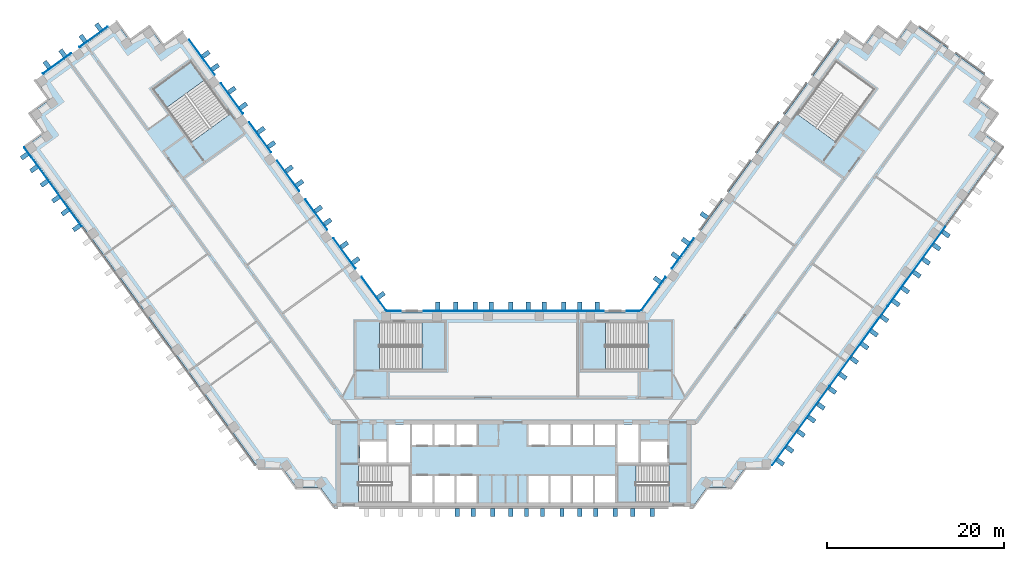
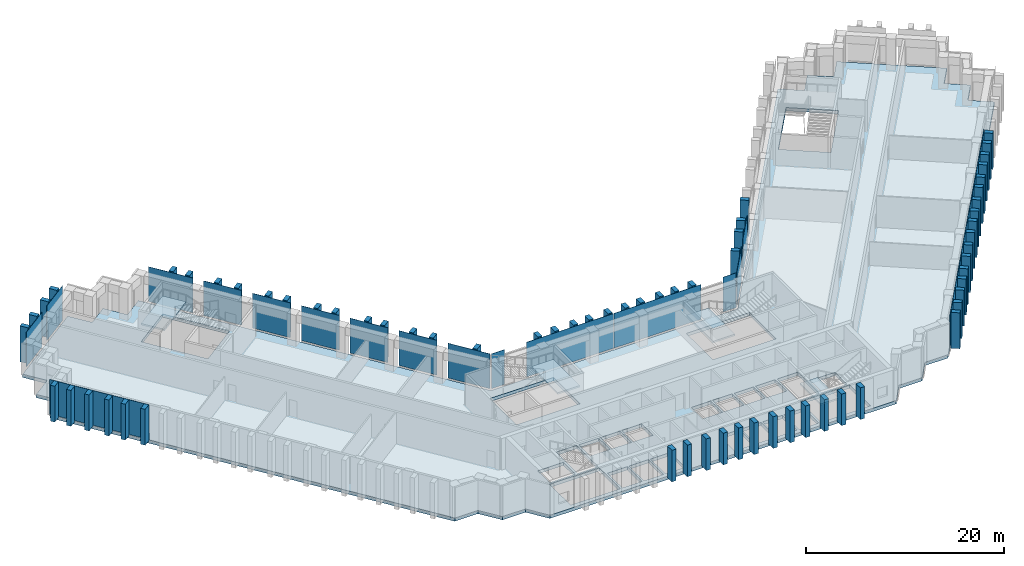
"""IFC4 building model written with IfcOpenShell, lengths in metres."""

from ifc_helpers import new_model, si_unit, direction, frame, origin, origin_2d, place, context, subcontext, project, spatial, polyline, rectangle, outline, extrude, material, layer, layer_set, type_object, element, aggregate, save


model = new_model("IFC4")

# Units and contexts
model_context = context("Model", 3, precision=1e-05, world=origin(), true_north=direction((0.0, 1.0)))
body_context = subcontext(model_context, "Body", "Model", "MODEL_VIEW")
ifc_project = project(units=[si_unit("LENGTHUNIT", "METRE"), si_unit("AREAUNIT", "SQUARE_METRE"), si_unit("VOLUMEUNIT", "CUBIC_METRE"), si_unit("PLANEANGLEUNIT", "RADIAN"), si_unit("MASSUNIT", "GRAM", prefix="KILO")], contexts=[model_context])

# Site, building, storey
site_placement = place(None, origin())
site = spatial("IfcSite", under=ifc_project, at=site_placement, CompositionType="ELEMENT")
building_placement = place(site_placement, origin())
building = spatial("IfcBuilding", under=site, at=building_placement, Name="Quipu Civic Tower", CompositionType="ELEMENT")
storey_1_placement = place(building_placement, frame((0.0, 0.0, 20.5)))
storey_1 = spatial("IfcBuildingStorey", under=building, at=storey_1_placement, Name="L04", CompositionType="ELEMENT", Elevation=20.5)

# Slab
ifc_material_1 = material(Name="Concrete C40/50", Category="concrete")
ifc_layer_1 = layer(ifc_material_1, 0.39990234375)
ifc_layer_set_1 = layer_set([ifc_layer_1], Name="Concrete C40/50")
slab_type_1 = type_object("IfcSlabType", Name="Floor slab 400 C40/50", PredefinedType="FLOOR", material=ifc_layer_set_1)
slab_1_placement = place(storey_1_placement, frame((0.0, 0.0, -0.39990234375)))
element("IfcSlab", 1, at=slab_1_placement, inside=storey_1, type_object=slab_type_1, Name="Floor slab L04", PredefinedType="FLOOR", context=body_context, shape_type="SweptSolid", body=[
    extrude(outline(polyline([(37.31494140625, 42.550048828125), (39.5, 40.9599609375), (41.0849609375, 43.14501953125), (43.27001953125, 41.56005859375), (44.860107421875, 43.739990234375), (53.919921875, 37.159912109375), (52.3349609375, 34.97509765625), (54.514892578125, 33.389892578125), (52.929931640625, 31.205078125), (55.114990234375, 29.614990234375), (28.780029296875, -6.6298828125), (26.080078125, -6.6298828125), (24.489990234375, -8.81494140625), (21.7900390625, -8.81494140625), (20.205078125, -11.0), (-20.205078125, -11.0), (-21.7900390625, -8.81494140625), (-24.489990234375, -8.81494140625), (-26.080078125, -6.6298828125), (-28.780029296875, -6.6298828125), (-55.114990234375, 29.614990234375), (-52.929931640625, 31.205078125), (-54.514892578125, 33.389892578125), (-52.3349609375, 34.97509765625), (-53.919921875, 37.159912109375), (-44.860107421875, 43.739990234375), (-43.27001953125, 41.56005859375), (-41.0849609375, 43.14501953125), (-39.5, 40.9599609375), (-37.31494140625, 42.550048828125), (-14.39501953125, 11.0), (14.39501953125, 11.0), (37.31494140625, 42.550048828125)]), holes=[polyline([(-11.449951171875, -7.5), (-11.449951171875, -10.5), (-9.14990234375, -10.5), (-9.14990234375, -7.5), (-11.449951171875, -7.5)]), polyline([(-6.64990234375, -7.5), (-8.949951171875, -7.5), (-8.949951171875, -10.5), (-6.64990234375, -10.5), (-6.64990234375, -7.5)]), polyline([(-4.14990234375, -7.5), (-6.449951171875, -7.5), (-6.449951171875, -10.5), (-4.14990234375, -10.5), (-4.14990234375, -7.5)]), polyline([(1.64990234375, -7.5), (1.64990234375, -10.5), (3.949951171875, -10.5), (3.949951171875, -7.5), (1.64990234375, -7.5)]), polyline([(-11.705078125, -10.4951171875), (-11.705078125, -6.2548828125), (-17.4951171875, -6.2548828125), (-17.4951171875, -10.4951171875), (-11.705078125, -10.4951171875)]), polyline([(-14.35009765625, -3.60009765625), (-17.35009765625, -3.60009765625), (-17.35009765625, -6.0), (-14.35009765625, -6.0), (-14.35009765625, -3.60009765625)]), polyline([(-14.10009765625, -1.699951171875), (-14.10009765625, -6.0), (-11.699951171875, -6.0), (-11.699951171875, -1.699951171875), (-14.10009765625, -1.699951171875)]), polyline([(-9.14990234375, -1.699951171875), (-11.449951171875, -1.699951171875), (-11.449951171875, -4.0), (-9.14990234375, -4.0), (-9.14990234375, -1.699951171875)]), polyline([(-6.64990234375, -1.699951171875), (-8.949951171875, -1.699951171875), (-8.949951171875, -4.0), (-6.64990234375, -4.0), (-6.64990234375, -1.699951171875)]), polyline([(-6.449951171875, -1.699951171875), (-6.449951171875, -4.0), (-4.14990234375, -4.0), (-4.14990234375, -1.699951171875), (-6.449951171875, -1.699951171875)]), polyline([(-7.7548828125, 4.5048828125), (-7.7548828125, 9.844970703125), (-15.14501953125, 9.844970703125), (-15.14501953125, 4.5048828125), (-7.7548828125, 4.5048828125)]), polyline([(-36.364990234375, 39.27490234375), (-40.68505859375, 36.135009765625), (-36.344970703125, 30.159912109375), (-32.02490234375, 33.300048828125), (-36.364990234375, 39.27490234375)]), polyline([(4.14990234375, -7.5), (4.14990234375, -10.5), (6.449951171875, -10.5), (6.449951171875, -7.5), (4.14990234375, -7.5)]), polyline([(8.949951171875, -7.5), (6.64990234375, -7.5), (6.64990234375, -10.5), (8.949951171875, -10.5), (8.949951171875, -7.5)]), polyline([(11.449951171875, -7.5), (9.14990234375, -7.5), (9.14990234375, -10.5), (11.449951171875, -10.5), (11.449951171875, -7.5)]), polyline([(11.705078125, -10.4951171875), (17.4951171875, -10.4951171875), (17.4951171875, -6.2548828125), (11.705078125, -6.2548828125), (11.705078125, -10.4951171875)]), polyline([(17.35009765625, -3.60009765625), (14.35009765625, -3.60009765625), (14.35009765625, -6.0), (17.35009765625, -6.0), (17.35009765625, -3.60009765625)]), polyline([(14.10009765625, -1.699951171875), (11.699951171875, -1.699951171875), (11.699951171875, -6.0), (14.10009765625, -6.0), (14.10009765625, -1.699951171875)]), polyline([(1.64990234375, -1.699951171875), (1.64990234375, -4.0), (3.949951171875, -4.0), (3.949951171875, -1.699951171875), (1.64990234375, -1.699951171875)]), polyline([(6.449951171875, -1.699951171875), (4.14990234375, -1.699951171875), (4.14990234375, -4.0), (6.449951171875, -4.0), (6.449951171875, -1.699951171875)]), polyline([(8.949951171875, -1.699951171875), (6.64990234375, -1.699951171875), (6.64990234375, -4.0), (8.949951171875, -4.0), (8.949951171875, -1.699951171875)]), polyline([(9.14990234375, -1.699951171875), (9.14990234375, -4.0), (11.449951171875, -4.0), (11.449951171875, -1.699951171875), (9.14990234375, -1.699951171875)]), polyline([(7.7548828125, 9.844970703125), (7.7548828125, 4.5048828125), (15.14501953125, 4.5048828125), (15.14501953125, 9.844970703125), (7.7548828125, 9.844970703125)]), polyline([(40.68505859375, 36.135009765625), (36.364990234375, 39.27490234375), (32.02490234375, 33.300048828125), (36.344970703125, 30.159912109375), (40.68505859375, 36.135009765625)])]), origin(), (0.0, 0.0, 1.0), 0.39990234375),
])

# Storey
storey_2_placement = place(building_placement, frame((0.0, 0.0, 16.0)))
storey_2 = spatial("IfcBuildingStorey", under=building, at=storey_2_placement, Name="L03", CompositionType="ELEMENT", Elevation=16.0)

# Curtain wall, plate
ifc_material_2 = material(Name="Insulated glass unit", Category="glass")
curtain_wall_type = type_object("IfcCurtainWallType", Name="Public services curtain wall CW3", PredefinedType="NOTDEFINED", material=ifc_material_2)
curtain_wall_1_placement = place(storey_2_placement, origin())
curtain_wall_1 = element("IfcCurtainWall", 2, at=curtain_wall_1_placement, inside=storey_2, type_object=curtain_wall_type, Name="Public services curtain wall CW3 L02 run 1", PredefinedType="NOTDEFINED")
ifc_material_3 = material(Name="Insulated glass unit", Category="glass")
ifc_layer_2 = layer(ifc_material_3, 0.031982421875)
ifc_layer_set_2 = layer_set([ifc_layer_2], Name="Insulated glass unit")
plate_type_1 = type_object("IfcPlateType", Name="Glass panel CW3", PredefinedType="CURTAIN_PANEL", material=ifc_layer_set_2)
plate_1_placement = place(storey_1_placement, frame((-15.769287109375, 13.0615234375, 0.139892578125), z_axis=(0.0, 0.0, 1.0), x_axis=(-0.587795194797, 0.809009770629, 0.0)))
plate_1 = element("IfcPlate", 3, at=plate_1_placement, inside=storey_1, type_object=plate_type_1, Name="CW3 panel 1.3", PredefinedType="CURTAIN_PANEL", context=body_context, shape_type="SweptSolid", body=[
    extrude(rectangle(XDim=4.649169921875, YDim=0.031982421875, at=origin_2d()), origin(), (0.0, 0.0, 1.0), 4.2900390625),
])
aggregate(curtain_wall_1, [plate_1])

curtain_wall_2_placement = place(storey_2_placement, origin())
curtain_wall_2 = element("IfcCurtainWall", 4, at=curtain_wall_2_placement, inside=storey_2, type_object=curtain_wall_type, Name="Public services curtain wall CW3 L02 run 2", PredefinedType="NOTDEFINED")
plate_2_placement = place(storey_1_placement, frame((-19.075439453125, 17.61181640625, 0.139892578125), z_axis=(0.0, 0.0, 1.0), x_axis=(-0.587800011079, 0.809006271283, 0.0)))
plate_2 = element("IfcPlate", 5, at=plate_2_placement, inside=storey_1, type_object=plate_type_1, Name="CW3 panel 1.3", PredefinedType="CURTAIN_PANEL", context=body_context, shape_type="SweptSolid", body=[
    extrude(rectangle(XDim=4.199951171875, YDim=0.031982421875, at=origin_2d()), origin(), (0.0, 0.0, 1.0), 4.2900390625),
])
aggregate(curtain_wall_2, [plate_2])

curtain_wall_3_placement = place(storey_2_placement, origin())
curtain_wall_3 = element("IfcCurtainWall", 6, at=curtain_wall_3_placement, inside=storey_2, type_object=curtain_wall_type, Name="Public services curtain wall CW3 L02 run 3", PredefinedType="NOTDEFINED")
plate_3_placement = place(storey_1_placement, frame((-22.24951171875, 21.98046875, 0.139892578125), z_axis=(0.0, 0.0, 1.0), x_axis=(-0.587774328321, 0.809024930992, 0.0)))
plate_3 = element("IfcPlate", 7, at=plate_3_placement, inside=storey_1, type_object=plate_type_1, Name="CW3 panel 1.3", PredefinedType="CURTAIN_PANEL", context=body_context, shape_type="SweptSolid", body=[
    extrude(rectangle(XDim=4.199951171875, YDim=0.031982421875, at=origin_2d()), origin(), (0.0, 0.0, 1.0), 4.2900390625),
])
aggregate(curtain_wall_3, [plate_3])

curtain_wall_4_placement = place(storey_2_placement, origin())
curtain_wall_4 = element("IfcCurtainWall", 8, at=curtain_wall_4_placement, inside=storey_2, type_object=curtain_wall_type, Name="Public services curtain wall CW3 L02 run 4", PredefinedType="NOTDEFINED")
plate_4_placement = place(storey_1_placement, frame((-25.42333984375, 26.349365234375, 0.139892578125), z_axis=(0.0, 0.0, 1.0), x_axis=(-0.587789203544, 0.809014123608, 0.0)))
plate_4 = element("IfcPlate", 9, at=plate_4_placement, inside=storey_1, type_object=plate_type_1, Name="CW3 panel 1.3", PredefinedType="CURTAIN_PANEL", context=body_context, shape_type="SweptSolid", body=[
    extrude(rectangle(XDim=4.199951171875, YDim=0.031982421875, at=origin_2d()), origin(), (0.0, 0.0, 1.0), 4.2900390625),
])
aggregate(curtain_wall_4, [plate_4])

curtain_wall_5_placement = place(storey_2_placement, origin())
curtain_wall_5 = element("IfcCurtainWall", 10, at=curtain_wall_5_placement, inside=storey_2, type_object=curtain_wall_type, Name="Public services curtain wall CW3 L02 run 5", PredefinedType="NOTDEFINED")
plate_5_placement = place(storey_1_placement, frame((-28.597412109375, 30.718017578125, 0.139892578125), z_axis=(0.0, 0.0, 1.0), x_axis=(-0.587785135859, 0.809017078969, 0.0)))
plate_5 = element("IfcPlate", 11, at=plate_5_placement, inside=storey_1, type_object=plate_type_1, Name="CW3 panel 1.3", PredefinedType="CURTAIN_PANEL", context=body_context, shape_type="SweptSolid", body=[
    extrude(rectangle(XDim=4.199951171875, YDim=0.031982421875, at=origin_2d()), origin(), (0.0, 0.0, 1.0), 4.2900390625),
])
aggregate(curtain_wall_5, [plate_5])

curtain_wall_6_placement = place(storey_2_placement, origin())
curtain_wall_6 = element("IfcCurtainWall", 12, at=curtain_wall_6_placement, inside=storey_2, type_object=curtain_wall_type, Name="Public services curtain wall CW3 L02 run 6", PredefinedType="NOTDEFINED")
plate_6_placement = place(storey_1_placement, frame((-31.771484375, 35.086669921875, 0.139892578125), z_axis=(0.0, 0.0, 1.0), x_axis=(-0.587789203544, 0.809014123608, 0.0)))
plate_6 = element("IfcPlate", 13, at=plate_6_placement, inside=storey_1, type_object=plate_type_1, Name="CW3 panel 1.3", PredefinedType="CURTAIN_PANEL", context=body_context, shape_type="SweptSolid", body=[
    extrude(rectangle(XDim=4.199951171875, YDim=0.031982421875, at=origin_2d()), origin(), (0.0, 0.0, 1.0), 4.2900390625),
])
aggregate(curtain_wall_6, [plate_6])

curtain_wall_7_placement = place(storey_2_placement, origin())
curtain_wall_7 = element("IfcCurtainWall", 14, at=curtain_wall_7_placement, inside=storey_2, type_object=curtain_wall_type, Name="Public services curtain wall CW3 L02 run 7", PredefinedType="NOTDEFINED")
plate_7_placement = place(storey_1_placement, frame((-35.149658203125, 39.736328125, 0.139892578125), z_axis=(0.0, 0.0, 1.0), x_axis=(-0.587782980465, 0.809018644949, 0.0)))
plate_7 = element("IfcPlate", 15, at=plate_7_placement, inside=storey_1, type_object=plate_type_1, Name="CW3 panel 1.3", PredefinedType="CURTAIN_PANEL", context=body_context, shape_type="SweptSolid", body=[
    extrude(rectangle(XDim=4.89453125, YDim=0.031982421875, at=origin_2d()), origin(), (0.0, 0.0, 1.0), 4.2900390625),
])
aggregate(curtain_wall_7, [plate_7])

curtain_wall_8_placement = place(storey_2_placement, origin())
curtain_wall_8 = element("IfcCurtainWall", 16, at=curtain_wall_8_placement, inside=storey_2, type_object=curtain_wall_type, Name="Public services curtain wall CW3 L02 run 12", PredefinedType="NOTDEFINED")
plate_8_placement = place(storey_1_placement, frame((-47.385009765625, 42.03076171875, 0.139892578125), z_axis=(0.0, 0.0, 1.0), x_axis=(-0.809030241342, -0.587767018974, 0.0)))
plate_8 = element("IfcPlate", 17, at=plate_8_placement, inside=storey_1, type_object=plate_type_1, Name="CW3 panel 1.3", PredefinedType="CURTAIN_PANEL", context=body_context, shape_type="SweptSolid", body=[
    extrude(rectangle(XDim=3.900146484375, YDim=0.031982421875, at=origin_2d()), origin(), (0.0, 0.0, 1.0), 4.2900390625),
])
aggregate(curtain_wall_8, [plate_8])

curtain_wall_9_placement = place(storey_2_placement, origin())
curtain_wall_9 = element("IfcCurtainWall", 18, at=curtain_wall_9_placement, inside=storey_2, type_object=curtain_wall_type, Name="Public services curtain wall CW3 L02 run 13", PredefinedType="NOTDEFINED")
plate_9_placement = place(storey_1_placement, frame((-51.51025390625, 39.033447265625, 0.139892578125), z_axis=(0.0, 0.0, 1.0), x_axis=(-0.809014568883, -0.587788590681, 0.0)))
plate_9 = element("IfcPlate", 19, at=plate_9_placement, inside=storey_1, type_object=plate_type_1, Name="CW3 panel 1.3", PredefinedType="CURTAIN_PANEL", context=body_context, shape_type="SweptSolid", body=[
    extrude(rectangle(XDim=3.898193359375, YDim=0.031982421875, at=origin_2d()), origin(), (0.0, 0.0, 1.0), 4.2900390625),
])
aggregate(curtain_wall_9, [plate_9])

curtain_wall_10_placement = place(storey_2_placement, origin())
curtain_wall_10 = element("IfcCurtainWall", 20, at=curtain_wall_10_placement, inside=storey_2, type_object=curtain_wall_type, Name="Public services curtain wall CW3 L02 run 18", PredefinedType="NOTDEFINED")
plate_10_placement = place(storey_1_placement, frame((-51.970947265625, 25.11962890625, 0.139892578125), z_axis=(0.0, 0.0, 1.0), x_axis=(0.587785356329, -0.809016918788, 0.0)))
plate_10 = element("IfcPlate", 21, at=plate_10_placement, inside=storey_1, type_object=plate_type_1, Name="CW3 panel 1.3", PredefinedType="CURTAIN_PANEL", context=body_context, shape_type="SweptSolid", body=[
    extrude(rectangle(XDim=10.971435546875, YDim=0.031982421875, at=origin_2d()), origin(), (0.0, 0.0, 1.0), 4.2900390625),
])
aggregate(curtain_wall_10, [plate_10])

# Curtain wall, plates
curtain_wall_11_placement = place(storey_2_placement, origin())
curtain_wall_11 = element("IfcCurtainWall", 22, at=curtain_wall_11_placement, inside=storey_2, type_object=curtain_wall_type, Name="Public services curtain wall CW3 L02 run 32", PredefinedType="NOTDEFINED")
plate_11_placement = place(storey_1_placement, frame((32.38916015625, -1.832275390625, 0.139892578125), z_axis=(0.0, 0.0, 1.0), x_axis=(0.587785356329, 0.809016918788, 0.0)))
plate_11 = element("IfcPlate", 23, at=plate_11_placement, inside=storey_1, type_object=plate_type_1, Name="CW3 panel 1.3", PredefinedType="CURTAIN_PANEL", context=body_context, shape_type="SweptSolid", body=[
    extrude(rectangle(XDim=10.971435546875, YDim=0.031982421875, at=origin_2d()), origin(), (0.0, 0.0, 1.0), 4.2900390625),
])
plate_12_placement = place(storey_1_placement, frame((38.911376953125, 7.14501953125, 0.139892578125), z_axis=(0.0, 0.0, 1.0), x_axis=(0.587785356329, 0.809016918788, 0.0)))
plate_12 = element("IfcPlate", 24, at=plate_12_placement, inside=storey_1, type_object=plate_type_1, Name="CW3 panel 2.3", PredefinedType="CURTAIN_PANEL", context=body_context, shape_type="SweptSolid", body=[
    extrude(rectangle(XDim=11.021484375, YDim=0.031982421875, at=origin_2d()), origin(), (0.0, 0.0, 1.0), 4.2900390625),
])
plate_13_placement = place(storey_1_placement, frame((45.448486328125, 16.142333984375, 0.139892578125), z_axis=(0.0, 0.0, 1.0), x_axis=(0.587785356329, 0.809016918788, 0.0)))
plate_13 = element("IfcPlate", 25, at=plate_13_placement, inside=storey_1, type_object=plate_type_1, Name="CW3 panel 3.3", PredefinedType="CURTAIN_PANEL", context=body_context, shape_type="SweptSolid", body=[
    extrude(rectangle(XDim=11.021484375, YDim=0.031982421875, at=origin_2d()), origin(), (0.0, 0.0, 1.0), 4.2900390625),
])
aggregate(curtain_wall_11, [plate_11, plate_12, plate_13])

# Curtain wall, plate
curtain_wall_12_placement = place(storey_2_placement, origin())
curtain_wall_12 = element("IfcCurtainWall", 26, at=curtain_wall_12_placement, inside=storey_2, type_object=curtain_wall_type, Name="Public services curtain wall CW3 L02 run 48", PredefinedType="NOTDEFINED")
plate_14_placement = place(storey_1_placement, frame((19.075439453125, 17.61181640625, 0.139892578125), z_axis=(0.0, 0.0, 1.0), x_axis=(-0.587800011079, -0.809006271283, 0.0)))
plate_14 = element("IfcPlate", 27, at=plate_14_placement, inside=storey_1, type_object=plate_type_1, Name="CW3 panel 1.3", PredefinedType="CURTAIN_PANEL", context=body_context, shape_type="SweptSolid", body=[
    extrude(rectangle(XDim=4.199951171875, YDim=0.031982421875, at=origin_2d()), origin(), (0.0, 0.0, 1.0), 4.2900390625),
])
aggregate(curtain_wall_12, [plate_14])

curtain_wall_13_placement = place(storey_2_placement, origin())
curtain_wall_13 = element("IfcCurtainWall", 28, at=curtain_wall_13_placement, inside=storey_2, type_object=curtain_wall_type, Name="Public services curtain wall CW3 L02 run 49", PredefinedType="NOTDEFINED")
plate_15_placement = place(storey_1_placement, frame((15.769287109375, 13.0615234375, 0.139892578125), z_axis=(0.0, 0.0, 1.0), x_axis=(-0.587795194797, -0.809009770629, 0.0)))
plate_15 = element("IfcPlate", 29, at=plate_15_placement, inside=storey_1, type_object=plate_type_1, Name="CW3 panel 1.3", PredefinedType="CURTAIN_PANEL", context=body_context, shape_type="SweptSolid", body=[
    extrude(rectangle(XDim=4.649169921875, YDim=0.031982421875, at=origin_2d()), origin(), (0.0, 0.0, 1.0), 4.2900390625),
])
aggregate(curtain_wall_13, [plate_15])

curtain_wall_14_placement = place(storey_2_placement, origin())
curtain_wall_14 = element("IfcCurtainWall", 30, at=curtain_wall_14_placement, inside=storey_2, type_object=curtain_wall_type, Name="Public services curtain wall CW3 L02 run 50", PredefinedType="NOTDEFINED")
plate_16_placement = place(storey_1_placement, frame((13.49951171875, 11.10009765625, 0.139892578125), z_axis=(0.0, 0.0, 1.0), x_axis=(-1.0, 0.0, 0.0)))
plate_16 = element("IfcPlate", 31, at=plate_16_placement, inside=storey_1, type_object=plate_type_1, Name="CW3 panel 1.3", PredefinedType="CURTAIN_PANEL", context=body_context, shape_type="SweptSolid", body=[
    extrude(rectangle(XDim=1.4892578125, YDim=0.031982421875, at=origin_2d()), origin(), (0.0, 0.0, 1.0), 4.2900390625),
])
aggregate(curtain_wall_14, [plate_16])

# Curtain wall, plates
curtain_wall_15_placement = place(storey_2_placement, origin())
curtain_wall_15 = element("IfcCurtainWall", 32, at=curtain_wall_15_placement, inside=storey_2, type_object=curtain_wall_type, Name="Public services curtain wall CW3 L02 run 52", PredefinedType="NOTDEFINED")
plate_17_placement = place(storey_1_placement, frame((5.106689453125, 11.10009765625, 0.139892578125), z_axis=(0.0, 0.0, 1.0), x_axis=(-1.0, 0.0, 0.0)))
plate_17 = element("IfcPlate", 33, at=plate_17_placement, inside=storey_1, type_object=plate_type_1, Name="CW3 panel 1.3", PredefinedType="CURTAIN_PANEL", context=body_context, shape_type="SweptSolid", body=[
    extrude(rectangle(XDim=10.113525390625, YDim=0.031982421875, at=origin_2d()), origin(), (0.0, 0.0, 1.0), 4.2900390625),
])
plate_18_placement = place(storey_1_placement, frame((-5.106689453125, 11.10009765625, 0.139892578125), z_axis=(0.0, 0.0, 1.0), x_axis=(-1.0, 0.0, 0.0)))
plate_18 = element("IfcPlate", 34, at=plate_18_placement, inside=storey_1, type_object=plate_type_1, Name="CW3 panel 2.3", PredefinedType="CURTAIN_PANEL", context=body_context, shape_type="SweptSolid", body=[
    extrude(rectangle(XDim=10.113525390625, YDim=0.031982421875, at=origin_2d()), origin(), (0.0, 0.0, 1.0), 4.2900390625),
])
aggregate(curtain_wall_15, [plate_17, plate_18])

# Curtain wall, plate
curtain_wall_16_placement = place(storey_2_placement, origin())
curtain_wall_16 = element("IfcCurtainWall", 35, at=curtain_wall_16_placement, inside=storey_2, type_object=curtain_wall_type, Name="Public services curtain wall CW3 L02 run 54", PredefinedType="NOTDEFINED")
plate_19_placement = place(storey_1_placement, frame((-13.49951171875, 11.10009765625, 0.139892578125), z_axis=(0.0, 0.0, 1.0), x_axis=(-1.0, 0.0, 0.0)))
plate_19 = element("IfcPlate", 36, at=plate_19_placement, inside=storey_1, type_object=plate_type_1, Name="CW3 panel 1.3", PredefinedType="CURTAIN_PANEL", context=body_context, shape_type="SweptSolid", body=[
    extrude(rectangle(XDim=1.4892578125, YDim=0.031982421875, at=origin_2d()), origin(), (0.0, 0.0, 1.0), 4.2900390625),
])
aggregate(curtain_wall_16, [plate_19])

# Plates
ifc_material_4 = material(Name="Precast concrete C40/50", Category="concrete")
plate_type_2 = type_object("IfcPlateType", Name="Precast fin F0", PredefinedType="SHEET", material=ifc_material_4)
for number, where, z_axis, x_axis, name in (
    (37, (-14.956787109375, 12.878662109375, 0.06982421875), (0.0, 0.0, 1.0), (-0.587784944053, 0.809017218324, 0.0), "Precast fin F0 L04.P01.1"),
    (38, (-17.802734375, 16.7958984375, 0.06982421875), (0.0, 0.0, 1.0), (-0.587784944053, 0.809017218324, 0.0), "Precast fin F0 L04.P02.1"),
    (39, (-19.095703125, 18.57568359375, 0.06982421875), (0.0, 0.0, 1.0), (-0.587784944053, 0.809017218324, 0.0), "Precast fin F0 L04.P02.2"),
    (40, (-20.97265625, 21.158935546875, 0.06982421875), (0.0, 0.0, 1.0), (-0.587784944053, 0.809017218324, 0.0), "Precast fin F0 L04.P03.1"),
    (41, (-22.03076171875, 22.615234375, 0.06982421875), (0.0, 0.0, 1.0), (-0.587784944053, 0.809017218324, 0.0), "Precast fin F0 L04.P03.2"),
    (42, (-24.142822265625, 25.522216796875, 0.06982421875), (0.0, 0.0, 1.0), (-0.587784944053, 0.809017218324, 0.0), "Precast fin F0 L04.P04.1"),
    (43, (-25.318359375, 27.14013671875, 0.06982421875), (0.0, 0.0, 1.0), (-0.587784944053, 0.809017218324, 0.0), "Precast fin F0 L04.P04.2"),
    (44, (-27.312744140625, 29.885498046875, 0.06982421875), (0.0, 0.0, 1.0), (-0.587784944053, 0.809017218324, 0.0), "Precast fin F0 L04.P05.1"),
    (45, (-28.488525390625, 31.50341796875, 0.06982421875), (0.0, 0.0, 1.0), (-0.587784944053, 0.809017218324, 0.0), "Precast fin F0 L04.P05.2"),
    (46, (-30.48291015625, 34.24853515625, 0.06982421875), (0.0, 0.0, 1.0), (-0.587784944053, 0.809017218324, 0.0), "Precast fin F0 L04.P06.1"),
    (47, (-31.77587890625, 36.028564453125, 0.06982421875), (0.0, 0.0, 1.0), (-0.587784944053, 0.809017218324, 0.0), "Precast fin F0 L04.P06.2"),
    (48, (-33.65283203125, 38.61181640625, 0.06982421875), (0.0, 0.0, 1.0), (-0.587784944053, 0.809017218324, 0.0), "Precast fin F0 L04.P07.1"),
    (49, (-34.7109375, 40.068115234375, 0.06982421875), (0.0, 0.0, 1.0), (-0.587784944053, 0.809017218324, 0.0), "Precast fin F0 L04.P07.2"),
    (50, (-46.802734375, 43.133544921875, 0.06982421875), (0.0, 0.0, 1.0), (-0.809021318545, -0.587779300537, 0.0), "Precast fin F0 L04.P12.1"),
    (51, (-48.58251953125, 41.84033203125, 0.06982421875), (0.0, 0.0, 1.0), (-0.809021318545, -0.587779300537, 0.0), "Precast fin F0 L04.P12.2"),
    (52, (-50.8564453125, 40.1884765625, 0.06982421875), (0.0, 0.0, 1.0), (-0.809021318545, -0.587779300537, 0.0), "Precast fin F0 L04.P13.1"),
    (53, (-52.63623046875, 38.895263671875, 0.06982421875), (0.0, 0.0, 1.0), (-0.809021318545, -0.587779300537, 0.0), "Precast fin F0 L04.P13.2"),
    (54, (-55.169921875, 28.587158203125, 0.06982421875), (0.0, 0.0, 1.0), (0.587785716149, -0.809016657363, 0.0), "Precast fin F0 L04.P18.1"),
    (55, (-54.112060546875, 27.131103515625, 0.06982421875), (0.0, 0.0, 1.0), (0.587785716149, -0.809016657363, 0.0), "Precast fin F0 L04.P18.2"),
    (56, (-52.9365234375, 25.512939453125, 0.06982421875), (0.0, 0.0, 1.0), (0.587785716149, -0.809016657363, 0.0), "Precast fin F0 L04.P18.3"),
    (57, (-51.643310546875, 23.733154296875, 0.06982421875), (0.0, 0.0, 1.0), (0.587785716149, -0.809016657363, 0.0), "Precast fin F0 L04.P18.4"),
    (58, (-50.585205078125, 22.27685546875, 0.06982421875), (0.0, 0.0, 1.0), (0.587785716149, -0.809016657363, 0.0), "Precast fin F0 L04.P18.5"),
    (59, (-49.292236328125, 20.4970703125, 0.06982421875), (0.0, 0.0, 1.0), (0.587785716149, -0.809016657363, 0.0), "Precast fin F0 L04.P18.6"),
):
    element("IfcPlate", number, at=place(storey_1_placement, frame(where, z_axis=z_axis, x_axis=x_axis)), inside=storey_1, type_object=plate_type_2, Name=name, PredefinedType="SHEET", context=body_context, shape_type="SweptSolid", body=[
        extrude(rectangle(XDim=0.5, YDim=0.89990234375, at=origin_2d()), origin(), (0.0, 0.0, 1.0), 4.429931640625),
    ])
for number, where, z_axis, x_axis, name in (
    (60, (-6.35009765625, -11.637939453125, 0.0), (0.0, 0.0, 1.0), (1.0, 0.0, 0.0), "Precast fin F0 L04.P26.6"),
    (61, (-4.550048828125, -11.637939453125, 0.0), (0.0, 0.0, 1.0), (1.0, 0.0, 0.0), "Precast fin F0 L04.P26.7"),
    (62, (-2.35009765625, -11.637939453125, 0.0), (0.0, 0.0, 1.0), (1.0, 0.0, 0.0), "Precast fin F0 L04.P26.8"),
    (63, (-0.35009765625, -11.637939453125, 0.0), (0.0, 0.0, 1.0), (1.0, 0.0, 0.0), "Precast fin F0 L04.P26.9"),
    (64, (1.449951171875, -11.637939453125, 0.0), (0.0, 0.0, 1.0), (1.0, 0.0, 0.0), "Precast fin F0 L04.P26.10"),
    (65, (3.25, -11.637939453125, 0.0), (0.0, 0.0, 1.0), (1.0, 0.0, 0.0), "Precast fin F0 L04.P26.11"),
    (66, (5.449951171875, -11.637939453125, 0.0), (0.0, 0.0, 1.0), (1.0, 0.0, 0.0), "Precast fin F0 L04.P26.12"),
    (67, (7.449951171875, -11.637939453125, 0.0), (0.0, 0.0, 1.0), (1.0, 0.0, 0.0), "Precast fin F0 L04.P26.13"),
    (68, (9.25, -11.637939453125, 0.0), (0.0, 0.0, 1.0), (1.0, 0.0, 0.0), "Precast fin F0 L04.P26.14"),
    (69, (11.449951171875, -11.637939453125, 0.0), (0.0, 0.0, 1.0), (1.0, 0.0, 0.0), "Precast fin F0 L04.P26.15"),
    (70, (13.449951171875, -11.637939453125, 0.0), (0.0, 0.0, 1.0), (1.0, 0.0, 0.0), "Precast fin F0 L04.P26.16"),
    (71, (15.64990234375, -11.637939453125, 0.0), (0.0, 0.0, 1.0), (1.0, 0.0, 0.0), "Precast fin F0 L04.P26.17"),
):
    element("IfcPlate", number, at=place(storey_1_placement, frame(where, z_axis=z_axis, x_axis=x_axis)), inside=storey_1, type_object=plate_type_2, Name=name, PredefinedType="SHEET", context=body_context, shape_type="SweptSolid", body=[
        extrude(rectangle(XDim=0.5, YDim=0.89990234375, at=origin_2d()), origin(), (0.0, 0.0, 1.0), 3.89990234375),
    ])
for number, where, z_axis, x_axis, name in (
    (72, (30.079345703125, -5.947021484375, 0.06982421875), (0.0, 0.0, 1.0), (0.587785716149, 0.809016657363, 0.0), "Precast fin F0 L04.P33.1"),
    (73, (31.137451171875, -4.49072265625, 0.06982421875), (0.0, 0.0, 1.0), (0.587785716149, 0.809016657363, 0.0), "Precast fin F0 L04.P33.2"),
    (74, (32.4306640625, -2.7109375, 0.06982421875), (0.0, 0.0, 1.0), (0.587785716149, 0.809016657363, 0.0), "Precast fin F0 L04.P33.3"),
    (75, (33.606201171875, -1.0927734375, 0.06982421875), (0.0, 0.0, 1.0), (0.587785716149, 0.809016657363, 0.0), "Precast fin F0 L04.P33.4"),
    (76, (34.6640625, 0.36328125, 0.06982421875), (0.0, 0.0, 1.0), (0.587785716149, 0.809016657363, 0.0), "Precast fin F0 L04.P33.5"),
    (77, (35.957275390625, 2.143310546875, 0.06982421875), (0.0, 0.0, 1.0), (0.587785716149, 0.809016657363, 0.0), "Precast fin F0 L04.P33.6"),
    (78, (37.1328125, 3.76123046875, 0.06982421875), (0.0, 0.0, 1.0), (0.587785716149, 0.809016657363, 0.0), "Precast fin F0 L04.P33.7"),
    (79, (38.426025390625, 5.541015625, 0.06982421875), (0.0, 0.0, 1.0), (0.587785716149, 0.809016657363, 0.0), "Precast fin F0 L04.P33.8"),
    (80, (39.6015625, 7.1591796875, 0.06982421875), (0.0, 0.0, 1.0), (0.587785716149, 0.809016657363, 0.0), "Precast fin F0 L04.P33.9"),
    (81, (40.65966796875, 8.615234375, 0.06982421875), (0.0, 0.0, 1.0), (0.587785716149, 0.809016657363, 0.0), "Precast fin F0 L04.P33.10"),
    (82, (41.835205078125, 10.2333984375, 0.06982421875), (0.0, 0.0, 1.0), (0.587785716149, 0.809016657363, 0.0), "Precast fin F0 L04.P33.11"),
    (83, (43.12841796875, 12.01318359375, 0.06982421875), (0.0, 0.0, 1.0), (0.587785716149, 0.809016657363, 0.0), "Precast fin F0 L04.P33.12"),
    (84, (44.186279296875, 13.469482421875, 0.06982421875), (0.0, 0.0, 1.0), (0.587785716149, 0.809016657363, 0.0), "Precast fin F0 L04.P33.13"),
    (85, (45.4794921875, 15.249267578125, 0.06982421875), (0.0, 0.0, 1.0), (0.587785716149, 0.809016657363, 0.0), "Precast fin F0 L04.P33.14"),
    (86, (46.537353515625, 16.70556640625, 0.06982421875), (0.0, 0.0, 1.0), (0.587785716149, 0.809016657363, 0.0), "Precast fin F0 L04.P33.15"),
    (87, (47.713134765625, 18.323486328125, 0.06982421875), (0.0, 0.0, 1.0), (0.587785716149, 0.809016657363, 0.0), "Precast fin F0 L04.P33.16"),
    (88, (48.77099609375, 19.77978515625, 0.06982421875), (0.0, 0.0, 1.0), (0.587785716149, 0.809016657363, 0.0), "Precast fin F0 L04.P33.17"),
    (89, (21.49853515625, 21.882568359375, 0.06982421875), (0.0, 0.0, 1.0), (-0.587784944053, -0.809017218324, 0.0), "Precast fin F0 L04.P48.2"),
    (90, (19.386474609375, 18.9755859375, 0.06982421875), (0.0, 0.0, 1.0), (-0.587784944053, -0.809017218324, 0.0), "Precast fin F0 L04.P49.1"),
    (91, (18.2109375, 17.357666015625, 0.06982421875), (0.0, 0.0, 1.0), (-0.587784944053, -0.809017218324, 0.0), "Precast fin F0 L04.P49.2"),
    (92, (16.21630859375, 14.612548828125, 0.06982421875), (0.0, 0.0, 1.0), (-0.587784944053, -0.809017218324, 0.0), "Precast fin F0 L04.P50.1"),
    (93, (9.449951171875, 11.64990234375, 0.06982421875), (0.0, 0.0, 1.0), (-1.0, 0.0, 0.0), "Precast fin F0 L04.P53.1"),
    (94, (7.449951171875, 11.64990234375, 0.06982421875), (0.0, 0.0, 1.0), (-1.0, 0.0, 0.0), "Precast fin F0 L04.P53.2"),
    (95, (5.64990234375, 11.64990234375, 0.06982421875), (0.0, 0.0, 1.0), (-1.0, 0.0, 0.0), "Precast fin F0 L04.P53.3"),
    (96, (3.449951171875, 11.64990234375, 0.06982421875), (0.0, 0.0, 1.0), (-1.0, 0.0, 0.0), "Precast fin F0 L04.P53.4"),
    (97, (1.64990234375, 11.64990234375, 0.06982421875), (0.0, 0.0, 1.0), (-1.0, 0.0, 0.0), "Precast fin F0 L04.P53.5"),
    (98, (-0.35009765625, 11.64990234375, 0.06982421875), (0.0, 0.0, 1.0), (-1.0, 0.0, 0.0), "Precast fin F0 L04.P53.6"),
    (99, (-2.550048828125, 11.64990234375, 0.06982421875), (0.0, 0.0, 1.0), (-1.0, 0.0, 0.0), "Precast fin F0 L04.P53.7"),
    (100, (-4.35009765625, 11.64990234375, 0.06982421875), (0.0, 0.0, 1.0), (-1.0, 0.0, 0.0), "Precast fin F0 L04.P53.8"),
    (101, (-6.550048828125, 11.64990234375, 0.06982421875), (0.0, 0.0, 1.0), (-1.0, 0.0, 0.0), "Precast fin F0 L04.P53.9"),
    (102, (-8.550048828125, 11.64990234375, 0.06982421875), (0.0, 0.0, 1.0), (-1.0, 0.0, 0.0), "Precast fin F0 L04.P53.10"),
):
    element("IfcPlate", number, at=place(storey_1_placement, frame(where, z_axis=z_axis, x_axis=x_axis)), inside=storey_1, type_object=plate_type_2, Name=name, PredefinedType="SHEET", context=body_context, shape_type="SweptSolid", body=[
        extrude(rectangle(XDim=0.5, YDim=0.89990234375, at=origin_2d()), origin(), (0.0, 0.0, 1.0), 4.429931640625),
    ])

# Stair, slab
ifc_material_5 = material(Name="Concrete C40/50", Category="concrete")
stair_type_1 = type_object("IfcStairType", Name="Half turn stair 2000", PredefinedType="HALF_TURN_STAIR", material=ifc_material_5)
stair_1_placement = place(storey_1_placement, origin())
stair_1 = element("IfcStair", 103, at=stair_1_placement, inside=storey_1, type_object=stair_type_1, Name="Exit stair 2", PredefinedType="HALF_TURN_STAIR")
ifc_material_6 = material(Name="Concrete C40/50", Category="concrete")
ifc_layer_3 = layer(ifc_material_6, 0.199951171875)
ifc_layer_set_3 = layer_set([ifc_layer_3], Name="Concrete C40/50")
slab_type_2 = type_object("IfcSlabType", Name="Stair landing 200", PredefinedType="LANDING", material=ifc_layer_set_3)
slab_2_placement = place(storey_1_placement, frame((0.0, 0.0, 2.050048828125)))
slab_2 = element("IfcSlab", 104, at=slab_2_placement, type_object=slab_type_2, Name="ST-2 landing 1", PredefinedType="LANDING", context=body_context, shape_type="SweptSolid", body=[
    extrude(outline(polyline([(13.780029296875, -6.25), (11.699951171875, -6.25), (11.699951171875, -10.5), (13.780029296875, -10.5), (13.780029296875, -6.25)])), origin(), (0.0, 0.0, 1.0), 0.199951171875),
])
aggregate(stair_1, [slab_2])

ifc_material_7 = material(Name="Concrete C40/50", Category="concrete")
stair_type_2 = type_object("IfcStairType", Name="Half turn stair 2600", PredefinedType="HALF_TURN_STAIR", material=ifc_material_7)
stair_2_placement = place(storey_1_placement, origin())
stair_2 = element("IfcStair", 105, at=stair_2_placement, inside=storey_1, type_object=stair_type_2, Name="Exit stair 3", PredefinedType="HALF_TURN_STAIR")
slab_3_placement = place(storey_1_placement, frame((0.0, 0.0, 2.050048828125)))
slab_3 = element("IfcSlab", 106, at=slab_3_placement, type_object=slab_type_2, Name="ST-3 landing 1", PredefinedType="LANDING", context=body_context, shape_type="SweptSolid", body=[
    extrude(outline(polyline([(-10.35009765625, 4.5), (-7.75, 4.5), (-7.75, 9.85009765625), (-10.35009765625, 9.85009765625), (-10.35009765625, 4.5)])), origin(), (0.0, 0.0, 1.0), 0.199951171875),
])
aggregate(stair_2, [slab_3])

stair_3_placement = place(storey_1_placement, origin())
stair_3 = element("IfcStair", 107, at=stair_3_placement, inside=storey_1, type_object=stair_type_2, Name="Exit stair 4", PredefinedType="HALF_TURN_STAIR")
slab_4_placement = place(storey_1_placement, frame((0.0, 0.0, 2.050048828125)))
slab_4 = element("IfcSlab", 108, at=slab_4_placement, type_object=slab_type_2, Name="ST-4 landing 1", PredefinedType="LANDING", context=body_context, shape_type="SweptSolid", body=[
    extrude(outline(polyline([(10.35009765625, 9.85009765625), (7.75, 9.85009765625), (7.75, 4.5), (10.35009765625, 4.5), (10.35009765625, 9.85009765625)])), origin(), (0.0, 0.0, 1.0), 0.199951171875),
])
aggregate(stair_3, [slab_4])

stair_4_placement = place(storey_1_placement, origin())
stair_4 = element("IfcStair", 109, at=stair_4_placement, inside=storey_1, type_object=stair_type_2, Name="Exit stair 6", PredefinedType="HALF_TURN_STAIR")
slab_5_placement = place(storey_1_placement, frame((0.0, 0.0, 2.050048828125)))
slab_5 = element("IfcSlab", 110, at=slab_5_placement, type_object=slab_type_2, Name="ST-6 landing 1", PredefinedType="LANDING", context=body_context, shape_type="SweptSolid", body=[
    extrude(outline(polyline([(-34.837158203125, 37.179443359375), (-36.365478515625, 39.282958984375), (-40.69384765625, 36.138427734375), (-39.16552734375, 34.034912109375), (-34.837158203125, 37.179443359375)])), origin(), (0.0, 0.0, 1.0), 0.199951171875),
])
aggregate(stair_4, [slab_5])

save(model, "model.ifc")
